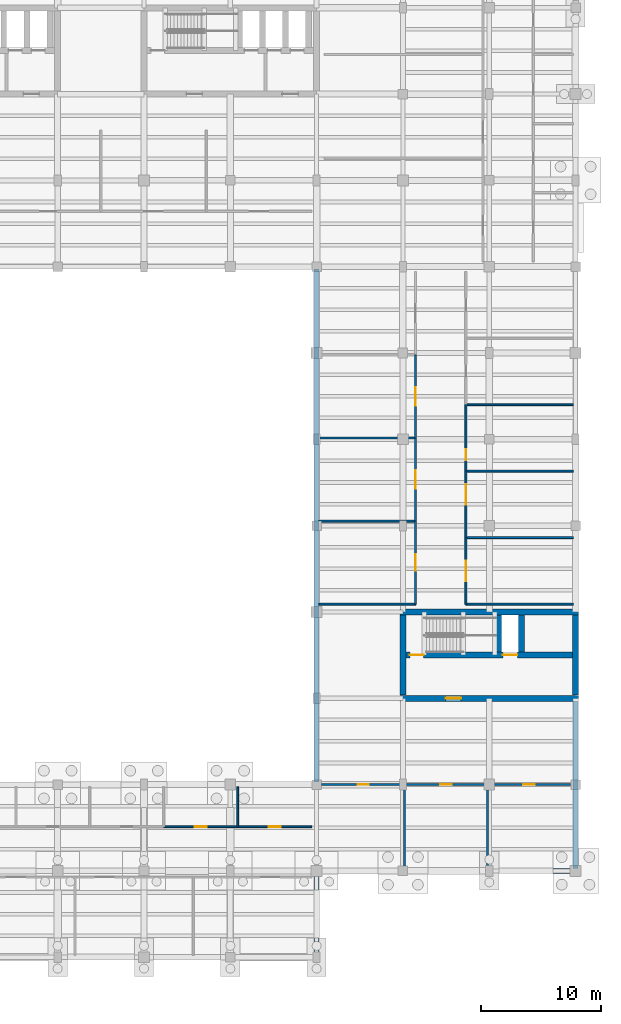
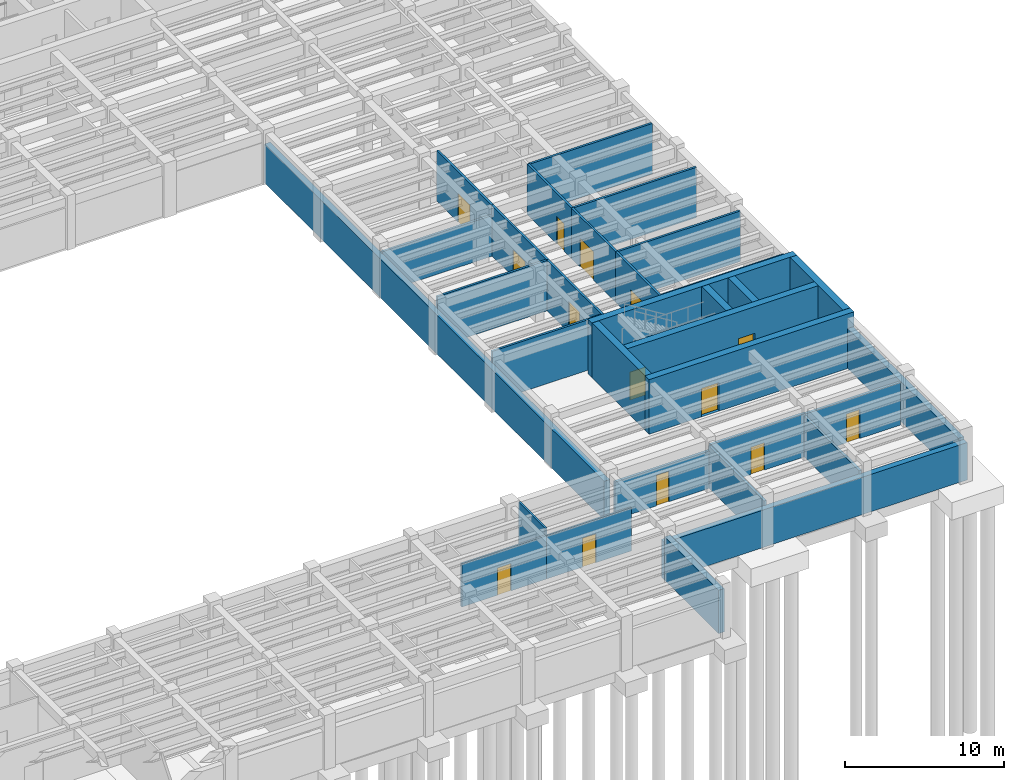
# One storey, part 23 of 33: 32 walls, 14 doors, 14 openings.
"""IFC4 building model written with IfcOpenShell, lengths in metres."""

from ifc_helpers import new_model, si_unit, direction, frame, frame_2d, origin, place, context, subcontext, project, spatial, rectangle, extrude, material, layer, layer_set, type_object, element, fill, save


model = new_model("IFC4")

# Units and contexts
model_context = context("Model", 3, precision=1e-05, world=origin(), true_north=direction((0.0, 1.0)))
body_context = subcontext(model_context, "Body", "Model", "MODEL_VIEW")
ifc_project = project(units=[si_unit("LENGTHUNIT", "METRE"), si_unit("AREAUNIT", "SQUARE_METRE"), si_unit("VOLUMEUNIT", "CUBIC_METRE"), si_unit("PLANEANGLEUNIT", "RADIAN"), si_unit("MASSUNIT", "GRAM", prefix="KILO")], contexts=[model_context])

# Site, building, storey
site_placement = place(None, origin())
site = spatial("IfcSite", under=ifc_project, at=site_placement, CompositionType="ELEMENT")
building_placement = place(site_placement, origin())
building = spatial("IfcBuilding", under=site, at=building_placement, Name="Mithqara Police Headquarters", CompositionType="ELEMENT")
storey_placement = place(building_placement, frame((0.0, 0.0, -4.199951171875)))
storey = spatial("IfcBuildingStorey", under=building, at=storey_placement, Name="B1", CompositionType="ELEMENT", Elevation=-4.199951171875)

# Wall, opening, door
ifc_material_1 = material(Name="Gypsum acoustic stud partition", Category="gypsum")
ifc_layer_1 = layer(ifc_material_1, 0.139892578125, Name="Gypsum acoustic stud partition")
ifc_layer_set_1 = layer_set([ifc_layer_1], Name="Gypsum acoustic stud partition")
wall_type_1 = type_object("IfcWallType", Name="PART WALL 140", PredefinedType="PARTITIONING", material=ifc_layer_set_1)
wall_1_placement = place(storey_placement, frame((131.846923828125, 31.8798828125, 0.0), z_axis=(0.0, 0.0, 1.0), x_axis=(1.0, 0.0, 0.0)))
wall_1 = element("IfcWall", 1, at=wall_1_placement, inside=storey, type_object=wall_type_1, Name="B1 Corridor Wall Driver Briefing Alcove", PredefinedType="PARTITIONING", context=body_context, shape_type="SweptSolid", body=[
    extrude(rectangle(XDim=6.1669921875, YDim=0.139892578125, at=frame_2d((3.08349609375, 0.0))), origin(), (0.0, 0.0, 1.0), 3.329833984375),
])
opening_1_placement = place(wall_1_placement, frame((2.593505859375, 0.0, 0.0)))
opening_1 = element("IfcOpeningElement", 2, at=opening_1_placement, cuts=wall_1, Name="Opening D-04", PredefinedType="OPENING", context=body_context, shape_type="SweptSolid", body=[
    extrude(rectangle(XDim=0.97998046875, YDim=2.10009765625, at=frame_2d((0.489990234375, 1.050048828125))), frame((0.0, 0.080078125, 0.0), z_axis=(0.0, -1.0, 0.0), x_axis=(1.0, 0.0, 0.0)), (0.0, 0.0, 1.0), 0.159912109375),
])
ifc_material_2 = material(Name="Acoustic solid-core timber leaf", Category="wood")
door_type_1 = type_object("IfcDoorType", Name="INT DOOR 980X2100", OperationType="NOTDEFINED", PredefinedType="DOOR", material=ifc_material_2)
door_1_placement = place(opening_1_placement, origin())
door_1 = element("IfcDoor", 3, at=door_1_placement, inside=storey, type_object=door_type_1, Name="Driver Briefing Alcove Entry Door", OperationType="SINGLE_SWING_LEFT", OverallHeight=2.10009765625, OverallWidth=0.97998046875, PredefinedType="DOOR", context=body_context, shape_type="SweptSolid", body=[
    extrude(rectangle(XDim=0.97998046875, YDim=2.10009765625, at=frame_2d((0.489990234375, 1.050048828125))), frame((0.0, 0.02490234375, 0.0), z_axis=(0.0, -1.0, 0.0), x_axis=(1.0, 0.0, 0.0)), (0.0, 0.0, 1.0), 0.050048828125),
])
fill(opening_1, door_1)

# Wall
wall_2_placement = place(storey_placement, frame((138.013916015625, 31.8798828125, 0.0), z_axis=(0.0, 0.0, 1.0), x_axis=(0.0, 1.0, 0.0)))
element("IfcWall", 4, at=wall_2_placement, inside=storey, type_object=wall_type_1, Name="B1 Room Partition Driver Briefing Alcove", PredefinedType="PARTITIONING", context=body_context, shape_type="SweptSolid", body=[
    extrude(rectangle(XDim=3.340087890625, YDim=0.139892578125, at=frame_2d((1.669921875, 0.0))), origin(), (0.0, 0.0, 1.0), 3.8798828125),
])

# Wall, opening, door
wall_3_placement = place(storey_placement, frame((138.013916015625, 31.8798828125, 0.0), z_axis=(0.0, 0.0, 1.0), x_axis=(1.0, 0.0, 0.0)))
wall_3 = element("IfcWall", 5, at=wall_3_placement, inside=storey, type_object=wall_type_1, Name="B1 Corridor Wall Patrol Car Park", PredefinedType="PARTITIONING", context=body_context, shape_type="SweptSolid", body=[
    extrude(rectangle(XDim=6.166015625, YDim=0.139892578125, at=frame_2d((3.0830078125, 0.0))), origin(), (0.0, 0.0, 1.0), 3.329833984375),
])
opening_2_placement = place(wall_3_placement, frame((2.593017578125, 0.0, 0.0)))
opening_2 = element("IfcOpeningElement", 6, at=opening_2_placement, cuts=wall_3, Name="Opening D-05", PredefinedType="OPENING", context=body_context, shape_type="SweptSolid", body=[
    extrude(rectangle(XDim=0.97998046875, YDim=2.219970703125, at=frame_2d((0.489990234375, 1.10986328125))), frame((0.0, 0.080078125, 0.0), z_axis=(0.0, -1.0, 0.0), x_axis=(1.0, 0.0, 0.0)), (0.0, 0.0, 1.0), 0.159912109375),
])
door_type_2 = type_object("IfcDoorType", Name="INT DOOR 980X2220", OperationType="NOTDEFINED", PredefinedType="DOOR", material=ifc_material_2)
door_2_placement = place(opening_2_placement, origin())
door_2 = element("IfcDoor", 7, at=door_2_placement, inside=storey, type_object=door_type_2, Name="Patrol Car Park Entry Door", OperationType="SINGLE_SWING_RIGHT", OverallHeight=2.219970703125, OverallWidth=0.97998046875, PredefinedType="DOOR", context=body_context, shape_type="SweptSolid", body=[
    extrude(rectangle(XDim=0.97998046875, YDim=2.219970703125, at=frame_2d((0.489990234375, 1.10986328125))), frame((0.0, 0.02490234375, 0.0), z_axis=(0.0, -1.0, 0.0), x_axis=(1.0, 0.0, 0.0)), (0.0, 0.0, 1.0), 0.050048828125),
])
fill(opening_2, door_2)

# Wall
ifc_layer_2 = layer(ifc_material_1, 0.159912109375, Name="Gypsum acoustic stud partition")
ifc_layer_set_2 = layer_set([ifc_layer_2], Name="Gypsum acoustic stud partition")
wall_type_2 = type_object("IfcWallType", Name="PART WALL 160", PredefinedType="PARTITIONING", material=ifc_layer_set_2)
wall_4_placement = place(storey_placement, frame((144.780029296875, 50.449951171875, 0.0), z_axis=(0.0, 0.0, 1.0), x_axis=(1.0, 0.0, 0.0)))
element("IfcWall", 8, at=wall_4_placement, inside=storey, type_object=wall_type_2, Name="B1 Partition End Closure E0", PredefinedType="PARTITIONING", context=body_context, shape_type="SweptSolid", body=[
    extrude(rectangle(XDim=8.070068359375, YDim=0.159912109375, at=frame_2d((4.03515625, 0.0))), origin(), (0.0, 0.0, 1.0), 3.8798828125),
])

# Wall, opening, door
wall_5_placement = place(storey_placement, frame((152.85009765625, 50.449951171875, 0.0), z_axis=(0.0, 0.0, 1.0), x_axis=(0.0, 1.0, 0.0)))
wall_5 = element("IfcWall", 9, at=wall_5_placement, inside=storey, type_object=wall_type_2, Name="B1 Corridor Wall Bulk Forensic Specimen Cold Room", PredefinedType="PARTITIONING", context=body_context, shape_type="SweptSolid", body=[
    extrude(rectangle(XDim=6.93310546875, YDim=0.159912109375, at=frame_2d((3.466552734375, 0.0))), origin(), (0.0, 0.0, 1.0), 3.8798828125),
])
opening_3_placement = place(wall_5_placement, frame((2.78662109375, 0.0, 0.0)))
opening_3 = element("IfcOpeningElement", 10, at=opening_3_placement, cuts=wall_5, Name="Opening D-18", PredefinedType="OPENING", context=body_context, shape_type="SweptSolid", body=[
    extrude(rectangle(XDim=1.360107421875, YDim=2.35009765625, at=frame_2d((0.68017578125, 1.175048828125))), frame((0.0, 0.08984375, 0.0), z_axis=(0.0, -1.0, 0.0), x_axis=(1.0, 0.0, 0.0)), (0.0, 0.0, 1.0), 0.179931640625),
])
ifc_material_3 = material(Name="Bronze anodised aluminium 6063-T6", Category="aluminium")
door_type_3 = type_object("IfcDoorType", Name="INT DOOR 1360X2350", OperationType="NOTDEFINED", PredefinedType="DOOR", material=ifc_material_3)
door_3_placement = place(opening_3_placement, frame((1.360107421875, 0.0, 0.0), z_axis=(0.0, 0.0, 1.0), x_axis=(-1.0, 0.0, 0.0)))
door_3 = element("IfcDoor", 11, at=door_3_placement, inside=storey, type_object=door_type_3, Name="Bulk Forensic Specimen Cold Room Entry Door", OperationType="SINGLE_SWING_LEFT", OverallHeight=2.35009765625, OverallWidth=1.360107421875, PredefinedType="DOOR", context=body_context, shape_type="SweptSolid", body=[
    extrude(rectangle(XDim=1.360107421875, YDim=2.35009765625, at=frame_2d((0.68017578125, 1.175048828125))), frame((0.0, 0.02490234375, 0.0), z_axis=(0.0, -1.0, 0.0), x_axis=(1.0, 0.0, 0.0)), (0.0, 0.0, 1.0), 0.050048828125),
])
fill(opening_3, door_3)

# Wall
wall_6_placement = place(storey_placement, frame((144.780029296875, 57.383056640625, 0.0), z_axis=(0.0, 0.0, 1.0), x_axis=(1.0, 0.0, 0.0)))
element("IfcWall", 12, at=wall_6_placement, inside=storey, type_object=wall_type_2, Name="B1 Room Partition Bulk Forensic Specimen Cold Room", PredefinedType="PARTITIONING", context=body_context, shape_type="SweptSolid", body=[
    extrude(rectangle(XDim=8.070068359375, YDim=0.159912109375, at=frame_2d((4.03515625, 0.0))), origin(), (0.0, 0.0, 1.0), 3.8798828125),
])

# Wall, opening, door
wall_7_placement = place(storey_placement, frame((152.85009765625, 57.383056640625, 0.0), z_axis=(0.0, 0.0, 1.0), x_axis=(0.0, 1.0, 0.0)))
wall_7 = element("IfcWall", 13, at=wall_7_placement, inside=storey, type_object=wall_type_2, Name="B1 Corridor Wall Vehicle Examination Bay", PredefinedType="PARTITIONING", context=body_context, shape_type="SweptSolid", body=[
    extrude(rectangle(XDim=6.931884765625, YDim=0.159912109375, at=frame_2d((3.4658203125, 0.0))), origin(), (0.0, 0.0, 1.0), 3.8798828125),
])
opening_4_placement = place(wall_7_placement, frame((2.7060546875, 0.0, 0.0)))
opening_4 = element("IfcOpeningElement", 14, at=opening_4_placement, cuts=wall_7, Name="Opening D-19", PredefinedType="OPENING", context=body_context, shape_type="SweptSolid", body=[
    extrude(rectangle(XDim=1.52001953125, YDim=2.10009765625, at=frame_2d((0.760009765625, 1.050048828125))), frame((0.0, 0.08984375, 0.0), z_axis=(0.0, -1.0, 0.0), x_axis=(1.0, 0.0, 0.0)), (0.0, 0.0, 1.0), 0.179931640625),
])
door_type_4 = type_object("IfcDoorType", Name="INT DOOR 1520X2100", OperationType="NOTDEFINED", PredefinedType="DOOR", material=ifc_material_3)
door_4_placement = place(opening_4_placement, frame((1.52001953125, 0.0, 0.0), z_axis=(0.0, 0.0, 1.0), x_axis=(-1.0, 0.0, 0.0)))
door_4 = element("IfcDoor", 15, at=door_4_placement, inside=storey, type_object=door_type_4, Name="Vehicle Examination Bay Entry Door", OperationType="DOUBLE_DOOR_SINGLE_SWING", OverallHeight=2.10009765625, OverallWidth=1.52001953125, PredefinedType="DOOR", context=body_context, shape_type="SweptSolid", body=[
    extrude(rectangle(XDim=1.52001953125, YDim=2.10009765625, at=frame_2d((0.760009765625, 1.050048828125))), frame((0.0, 0.02490234375, 0.0), z_axis=(0.0, -1.0, 0.0), x_axis=(1.0, 0.0, 0.0)), (0.0, 0.0, 1.0), 0.050048828125),
])
fill(opening_4, door_4)

# Wall
wall_8_placement = place(storey_placement, frame((144.780029296875, 64.31494140625, 0.0), z_axis=(0.0, 0.0, 1.0), x_axis=(1.0, 0.0, 0.0)))
element("IfcWall", 16, at=wall_8_placement, inside=storey, type_object=wall_type_2, Name="B1 Room Partition Vehicle Examination Bay", PredefinedType="PARTITIONING", context=body_context, shape_type="SweptSolid", body=[
    extrude(rectangle(XDim=8.070068359375, YDim=0.159912109375, at=frame_2d((4.03515625, 0.0))), origin(), (0.0, 0.0, 1.0), 3.1298828125),
])

# Wall, opening, door
wall_9_placement = place(storey_placement, frame((152.85009765625, 64.31494140625, 0.0), z_axis=(0.0, 0.0, 1.0), x_axis=(0.0, 1.0, 0.0)))
wall_9 = element("IfcWall", 17, at=wall_9_placement, inside=storey, type_object=wall_type_2, Name="B1 Corridor Wall Evidence Drying Room", PredefinedType="PARTITIONING", context=body_context, shape_type="SweptSolid", body=[
    extrude(rectangle(XDim=6.93310546875, YDim=0.159912109375, at=frame_2d((3.466552734375, 0.0))), origin(), (0.0, 0.0, 1.0), 3.8798828125),
])
opening_5_placement = place(wall_9_placement, frame((2.70654296875, 0.0, 0.0)))
opening_5 = element("IfcOpeningElement", 18, at=opening_5_placement, cuts=wall_9, Name="Opening D-20", PredefinedType="OPENING", context=body_context, shape_type="SweptSolid", body=[
    extrude(rectangle(XDim=1.52001953125, YDim=2.219970703125, at=frame_2d((0.760009765625, 1.10986328125))), frame((0.0, 0.08984375, 0.0), z_axis=(0.0, -1.0, 0.0), x_axis=(1.0, 0.0, 0.0)), (0.0, 0.0, 1.0), 0.179931640625),
])
door_type_5 = type_object("IfcDoorType", Name="INT DOOR 1520X2220", OperationType="NOTDEFINED", PredefinedType="DOOR", material=ifc_material_3)
door_5_placement = place(opening_5_placement, frame((1.52001953125, 0.0, 0.0), z_axis=(0.0, 0.0, 1.0), x_axis=(-1.0, 0.0, 0.0)))
door_5 = element("IfcDoor", 19, at=door_5_placement, inside=storey, type_object=door_type_5, Name="Evidence Drying Room Entry Door", OperationType="DOUBLE_DOOR_SINGLE_SWING", OverallHeight=2.219970703125, OverallWidth=1.52001953125, PredefinedType="DOOR", context=body_context, shape_type="SweptSolid", body=[
    extrude(rectangle(XDim=1.52001953125, YDim=2.219970703125, at=frame_2d((0.760009765625, 1.10986328125))), frame((0.0, 0.02490234375, 0.0), z_axis=(0.0, -1.0, 0.0), x_axis=(1.0, 0.0, 0.0)), (0.0, 0.0, 1.0), 0.050048828125),
])
fill(opening_5, door_5)

# Wall
wall_10_placement = place(storey_placement, frame((157.050048828125, 50.449951171875, 0.0), z_axis=(0.0, 0.0, 1.0), x_axis=(1.0, 0.0, 0.0)))
element("IfcWall", 20, at=wall_10_placement, inside=storey, type_object=wall_type_2, Name="B1 Partition End Closure E0", PredefinedType="PARTITIONING", context=body_context, shape_type="SweptSolid", body=[
    extrude(rectangle(XDim=8.969970703125, YDim=0.159912109375, at=frame_2d((4.48486328125, 0.0))), origin(), (0.0, 0.0, 1.0), 3.8798828125),
])

# Wall, opening, door
wall_11_placement = place(storey_placement, frame((157.050048828125, 50.449951171875, 0.0), z_axis=(0.0, 0.0, 1.0), x_axis=(0.0, 1.0, 0.0)))
wall_11 = element("IfcWall", 21, at=wall_11_placement, inside=storey, type_object=wall_type_2, Name="B1 Corridor Wall Vehicle Examination Bay", PredefinedType="PARTITIONING", context=body_context, shape_type="SweptSolid", body=[
    extrude(rectangle(XDim=5.546142578125, YDim=0.159912109375, at=frame_2d((2.77294921875, 0.0))), origin(), (0.0, 0.0, 1.0), 3.8798828125),
])
opening_6_placement = place(wall_11_placement, frame((1.9130859375, 0.0, 0.0)))
opening_6 = element("IfcOpeningElement", 22, at=opening_6_placement, cuts=wall_11, Name="Opening D-22", PredefinedType="OPENING", context=body_context, shape_type="SweptSolid", body=[
    extrude(rectangle(XDim=1.719970703125, YDim=2.10009765625, at=frame_2d((0.85986328125, 1.050048828125))), frame((0.0, 0.08984375, 0.0), z_axis=(0.0, -1.0, 0.0), x_axis=(1.0, 0.0, 0.0)), (0.0, 0.0, 1.0), 0.179931640625),
])
door_type_6 = type_object("IfcDoorType", Name="INT DOOR 1720X2100", OperationType="NOTDEFINED", PredefinedType="DOOR", material=ifc_material_3)
door_6_placement = place(opening_6_placement, origin())
door_6 = element("IfcDoor", 23, at=door_6_placement, inside=storey, type_object=door_type_6, Name="Vehicle Examination Bay Entry Door", OperationType="DOUBLE_DOOR_SINGLE_SWING", OverallHeight=2.10009765625, OverallWidth=1.719970703125, PredefinedType="DOOR", context=body_context, shape_type="SweptSolid", body=[
    extrude(rectangle(XDim=1.719970703125, YDim=2.10009765625, at=frame_2d((0.85986328125, 1.050048828125))), frame((0.0, 0.02490234375, 0.0), z_axis=(0.0, -1.0, 0.0), x_axis=(1.0, 0.0, 0.0)), (0.0, 0.0, 1.0), 0.050048828125),
])
fill(opening_6, door_6)

# Wall
wall_12_placement = place(storey_placement, frame((157.050048828125, 55.99609375, 0.0), z_axis=(0.0, 0.0, 1.0), x_axis=(1.0, 0.0, 0.0)))
element("IfcWall", 24, at=wall_12_placement, inside=storey, type_object=wall_type_2, Name="B1 Room Partition Vehicle Examination Bay", PredefinedType="PARTITIONING", context=body_context, shape_type="SweptSolid", body=[
    extrude(rectangle(XDim=8.969970703125, YDim=0.159912109375, at=frame_2d((4.48486328125, 0.0))), origin(), (0.0, 0.0, 1.0), 3.8798828125),
])

# Wall, opening, door
wall_13_placement = place(storey_placement, frame((157.050048828125, 55.99609375, 0.0), z_axis=(0.0, 0.0, 1.0), x_axis=(0.0, 1.0, 0.0)))
wall_13 = element("IfcWall", 25, at=wall_13_placement, inside=storey, type_object=wall_type_2, Name="B1 Corridor Wall Evidence Drying Room", PredefinedType="PARTITIONING", context=body_context, shape_type="SweptSolid", body=[
    extrude(rectangle(XDim=5.5458984375, YDim=0.159912109375, at=frame_2d((2.77294921875, 0.0))), origin(), (0.0, 0.0, 1.0), 3.8798828125),
])
opening_7_placement = place(wall_13_placement, frame((2.744873046875, 0.0, 0.0)))
opening_7 = element("IfcOpeningElement", 26, at=opening_7_placement, cuts=wall_13, Name="Opening D-23", PredefinedType="OPENING", context=body_context, shape_type="SweptSolid", body=[
    extrude(rectangle(XDim=1.719970703125, YDim=2.219970703125, at=frame_2d((0.85986328125, 1.10986328125))), frame((0.0, 0.08984375, 0.0), z_axis=(0.0, -1.0, 0.0), x_axis=(1.0, 0.0, 0.0)), (0.0, 0.0, 1.0), 0.179931640625),
])
door_type_7 = type_object("IfcDoorType", Name="INT DOOR 1720X2220", OperationType="NOTDEFINED", PredefinedType="DOOR", material=ifc_material_3)
door_7_placement = place(opening_7_placement, origin())
door_7 = element("IfcDoor", 27, at=door_7_placement, inside=storey, type_object=door_type_7, Name="Evidence Drying Room Entry Door", OperationType="DOUBLE_DOOR_SINGLE_SWING", OverallHeight=2.219970703125, OverallWidth=1.719970703125, PredefinedType="DOOR", context=body_context, shape_type="SweptSolid", body=[
    extrude(rectangle(XDim=1.719970703125, YDim=2.219970703125, at=frame_2d((0.85986328125, 1.10986328125))), frame((0.0, 0.02490234375, 0.0), z_axis=(0.0, -1.0, 0.0), x_axis=(1.0, 0.0, 0.0)), (0.0, 0.0, 1.0), 0.050048828125),
])
fill(opening_7, door_7)

# Wall
wall_14_placement = place(storey_placement, frame((157.050048828125, 61.5419921875, 0.0), z_axis=(0.0, 0.0, 1.0), x_axis=(1.0, 0.0, 0.0)))
element("IfcWall", 28, at=wall_14_placement, inside=storey, type_object=wall_type_2, Name="B1 Room Partition Evidence Drying Room", PredefinedType="PARTITIONING", context=body_context, shape_type="SweptSolid", body=[
    extrude(rectangle(XDim=8.969970703125, YDim=0.159912109375, at=frame_2d((4.48486328125, 0.0))), origin(), (0.0, 0.0, 1.0), 3.8798828125),
])

# Wall, opening, door
wall_15_placement = place(storey_placement, frame((157.050048828125, 61.5419921875, 0.0), z_axis=(0.0, 0.0, 1.0), x_axis=(0.0, 1.0, 0.0)))
wall_15 = element("IfcWall", 29, at=wall_15_placement, inside=storey, type_object=wall_type_2, Name="B1 Corridor Wall Bulk Forensic Specimen Cold Room", PredefinedType="PARTITIONING", context=body_context, shape_type="SweptSolid", body=[
    extrude(rectangle(XDim=5.5458984375, YDim=0.159912109375, at=frame_2d((2.77294921875, 0.0))), origin(), (0.0, 0.0, 1.0), 3.8798828125),
])
opening_8_placement = place(wall_15_placement, frame((0.926513671875, 0.0, 0.0)))
opening_8 = element("IfcOpeningElement", 30, at=opening_8_placement, cuts=wall_15, Name="Opening D-01", PredefinedType="OPENING", context=body_context, shape_type="SweptSolid", body=[
    extrude(rectangle(XDim=0.919921875, YDim=2.10009765625, at=frame_2d((0.4599609375, 1.050048828125))), frame((0.0, 0.08984375, 0.0), z_axis=(0.0, -1.0, 0.0), x_axis=(1.0, 0.0, 0.0)), (0.0, 0.0, 1.0), 0.179931640625),
])
door_type_8 = type_object("IfcDoorType", Name="INT DOOR 920X2100", OperationType="NOTDEFINED", PredefinedType="DOOR", material=ifc_material_2)
door_8_placement = place(opening_8_placement, origin())
door_8 = element("IfcDoor", 31, at=door_8_placement, inside=storey, type_object=door_type_8, Name="Bulk Forensic Specimen Cold Room Entry Door", OperationType="SINGLE_SWING_LEFT", OverallHeight=2.10009765625, OverallWidth=0.919921875, PredefinedType="DOOR", context=body_context, shape_type="SweptSolid", body=[
    extrude(rectangle(XDim=0.919921875, YDim=2.10009765625, at=frame_2d((0.4599609375, 1.050048828125))), frame((0.0, 0.02490234375, 0.0), z_axis=(0.0, -1.0, 0.0), x_axis=(1.0, 0.0, 0.0)), (0.0, 0.0, 1.0), 0.050048828125),
])
fill(opening_8, door_8)

# Wall
wall_16_placement = place(storey_placement, frame((157.050048828125, 67.087890625, 0.0), z_axis=(0.0, 0.0, 1.0), x_axis=(1.0, 0.0, 0.0)))
element("IfcWall", 32, at=wall_16_placement, inside=storey, type_object=wall_type_2, Name="B1 Room Partition Bulk Forensic Specimen Cold Room", PredefinedType="PARTITIONING", context=body_context, shape_type="SweptSolid", body=[
    extrude(rectangle(XDim=8.969970703125, YDim=0.159912109375, at=frame_2d((4.48486328125, 0.0))), origin(), (0.0, 0.0, 1.0), 3.8798828125),
])

# Wall, opening, door
ifc_material_4 = material(Name="Concrete C40/50", Category="concrete")
ifc_layer_3 = layer(ifc_material_4, 0.179931640625, Name="Concrete C40/50")
ifc_layer_set_3 = layer_set([ifc_layer_3], Name="Concrete C40/50")
wall_type_3 = type_object("IfcWallType", Name="PART WALL 180", PredefinedType="PARTITIONING", material=ifc_layer_set_3)
wall_17_placement = place(storey_placement, frame((145.02001953125, 35.39990234375, 0.0), z_axis=(0.0, 0.0, 1.0), x_axis=(1.0, 0.0, 0.0)))
wall_17 = element("IfcWall", 33, at=wall_17_placement, inside=storey, type_object=wall_type_3, Name="B1 Corridor Wall Bulk Forensic Specimen Cold Room", PredefinedType="PARTITIONING", context=body_context, shape_type="SweptSolid", body=[
    extrude(rectangle(XDim=6.919921875, YDim=0.179931640625, at=frame_2d((3.4599609375, 0.0))), origin(), (0.0, 0.0, 1.0), 2.8798828125),
])
opening_9_placement = place(wall_17_placement, frame((3.0, 0.0, 0.0)))
opening_9 = element("IfcOpeningElement", 34, at=opening_9_placement, cuts=wall_17, Name="Opening D-03", PredefinedType="OPENING", context=body_context, shape_type="SweptSolid", body=[
    extrude(rectangle(XDim=0.919921875, YDim=2.35009765625, at=frame_2d((0.4599609375, 1.175048828125))), frame((0.0, 0.10009765625, 0.0), z_axis=(0.0, -1.0, 0.0), x_axis=(1.0, 0.0, 0.0)), (0.0, 0.0, 1.0), 0.199951171875),
])
door_type_9 = type_object("IfcDoorType", Name="INT DOOR 920X2350", OperationType="NOTDEFINED", PredefinedType="DOOR", material=ifc_material_2)
door_9_placement = place(opening_9_placement, frame((0.919921875, 0.0, 0.0), z_axis=(0.0, 0.0, 1.0), x_axis=(-1.0, 0.0, 0.0)))
door_9 = element("IfcDoor", 35, at=door_9_placement, inside=storey, type_object=door_type_9, Name="Bulk Forensic Specimen Cold Room Entry Door", OperationType="SINGLE_SWING_RIGHT", OverallHeight=2.35009765625, OverallWidth=0.919921875, PredefinedType="DOOR", context=body_context, shape_type="SweptSolid", body=[
    extrude(rectangle(XDim=0.919921875, YDim=2.35009765625, at=frame_2d((0.4599609375, 1.175048828125))), frame((0.0, 0.02490234375, 0.0), z_axis=(0.0, -1.0, 0.0), x_axis=(1.0, 0.0, 0.0)), (0.0, 0.0, 1.0), 0.050048828125),
])
fill(opening_9, door_9)

# Wall
wall_18_placement = place(storey_placement, frame((151.93994140625, 28.3798828125, 0.0), z_axis=(0.0, 0.0, 1.0), x_axis=(0.0, 1.0, 0.0)))
element("IfcWall", 36, at=wall_18_placement, inside=storey, type_object=wall_type_3, Name="B1 Room Partition Bulk Forensic Specimen Cold Room", PredefinedType="PARTITIONING", context=body_context, shape_type="SweptSolid", body=[
    extrude(rectangle(XDim=7.02001953125, YDim=0.179931640625, at=frame_2d((3.510009765625, 0.0))), origin(), (0.0, 0.0, 1.0), 3.22998046875),
])

# Wall, opening, door
wall_19_placement = place(storey_placement, frame((151.93994140625, 35.39990234375, 0.0), z_axis=(0.0, 0.0, 1.0), x_axis=(1.0, 0.0, 0.0)))
wall_19 = element("IfcWall", 37, at=wall_19_placement, inside=storey, type_object=wall_type_3, Name="B1 Corridor Wall Vehicle Examination Bay", PredefinedType="PARTITIONING", context=body_context, shape_type="SweptSolid", body=[
    extrude(rectangle(XDim=6.920166015625, YDim=0.179931640625, at=frame_2d((3.4599609375, 0.0))), origin(), (0.0, 0.0, 1.0), 3.329833984375),
])
opening_10_placement = place(wall_19_placement, frame((2.969970703125, 0.0, 0.0)))
opening_10 = element("IfcOpeningElement", 38, at=opening_10_placement, cuts=wall_19, Name="Opening D-04", PredefinedType="OPENING", context=body_context, shape_type="SweptSolid", body=[
    extrude(rectangle(XDim=0.97998046875, YDim=2.10009765625, at=frame_2d((0.489990234375, 1.050048828125))), frame((0.0, 0.10009765625, 0.0), z_axis=(0.0, -1.0, 0.0), x_axis=(1.0, 0.0, 0.0)), (0.0, 0.0, 1.0), 0.199951171875),
])
door_10_placement = place(opening_10_placement, frame((0.97998046875, 0.0, 0.0), z_axis=(0.0, 0.0, 1.0), x_axis=(-1.0, 0.0, 0.0)))
door_10 = element("IfcDoor", 39, at=door_10_placement, inside=storey, type_object=door_type_1, Name="Vehicle Examination Bay Entry Door", OperationType="SINGLE_SWING_LEFT", OverallHeight=2.10009765625, OverallWidth=0.97998046875, PredefinedType="DOOR", context=body_context, shape_type="SweptSolid", body=[
    extrude(rectangle(XDim=0.97998046875, YDim=2.10009765625, at=frame_2d((0.489990234375, 1.050048828125))), frame((0.0, 0.02490234375, 0.0), z_axis=(0.0, -1.0, 0.0), x_axis=(1.0, 0.0, 0.0)), (0.0, 0.0, 1.0), 0.050048828125),
])
fill(opening_10, door_10)

# Wall
wall_20_placement = place(storey_placement, frame((158.860107421875, 28.3798828125, 0.0), z_axis=(0.0, 0.0, 1.0), x_axis=(0.0, 1.0, 0.0)))
element("IfcWall", 40, at=wall_20_placement, inside=storey, type_object=wall_type_3, Name="B1 Room Partition Vehicle Examination Bay", PredefinedType="PARTITIONING", context=body_context, shape_type="SweptSolid", body=[
    extrude(rectangle(XDim=7.02001953125, YDim=0.179931640625, at=frame_2d((3.510009765625, 0.0))), origin(), (0.0, 0.0, 1.0), 3.1298828125),
])

# Wall, opening, door
wall_21_placement = place(storey_placement, frame((158.860107421875, 35.39990234375, 0.0), z_axis=(0.0, 0.0, 1.0), x_axis=(1.0, 0.0, 0.0)))
wall_21 = element("IfcWall", 41, at=wall_21_placement, inside=storey, type_object=wall_type_3, Name="B1 Corridor Wall Evidence Drying Room", PredefinedType="PARTITIONING", context=body_context, shape_type="SweptSolid", body=[
    extrude(rectangle(XDim=6.919921875, YDim=0.179931640625, at=frame_2d((3.4599609375, 0.0))), origin(), (0.0, 0.0, 1.0), 3.280029296875),
])
opening_11_placement = place(wall_21_placement, frame((2.969970703125, 0.0, 0.0)))
opening_11 = element("IfcOpeningElement", 42, at=opening_11_placement, cuts=wall_21, Name="Opening D-05", PredefinedType="OPENING", context=body_context, shape_type="SweptSolid", body=[
    extrude(rectangle(XDim=0.97998046875, YDim=2.219970703125, at=frame_2d((0.489990234375, 1.10986328125))), frame((0.0, 0.10009765625, 0.0), z_axis=(0.0, -1.0, 0.0), x_axis=(1.0, 0.0, 0.0)), (0.0, 0.0, 1.0), 0.199951171875),
])
door_11_placement = place(opening_11_placement, frame((0.97998046875, 0.0, 0.0), z_axis=(0.0, 0.0, 1.0), x_axis=(-1.0, 0.0, 0.0)))
door_11 = element("IfcDoor", 43, at=door_11_placement, inside=storey, type_object=door_type_2, Name="Evidence Drying Room Entry Door", OperationType="SINGLE_SWING_RIGHT", OverallHeight=2.219970703125, OverallWidth=0.97998046875, PredefinedType="DOOR", context=body_context, shape_type="SweptSolid", body=[
    extrude(rectangle(XDim=0.97998046875, YDim=2.219970703125, at=frame_2d((0.489990234375, 1.10986328125))), frame((0.0, 0.02490234375, 0.0), z_axis=(0.0, -1.0, 0.0), x_axis=(1.0, 0.0, 0.0)), (0.0, 0.0, 1.0), 0.050048828125),
])
fill(opening_11, door_11)

# Walls
ifc_layer_4 = layer(ifc_material_4, 0.419921875, Name="Concrete C40/50")
ifc_layer_set_4 = layer_set([ifc_layer_4], Name="Concrete C40/50")
wall_type_4 = type_object("IfcWallType", Name="RETAINING WALL 420", PredefinedType="USERDEFINED", material=ifc_layer_set_4)
wall_22_placement = place(storey_placement, frame((166.199951171875, 42.3701171875, 0.0), z_axis=(0.0, 0.0, 1.0), x_axis=(0.0, -1.0, 0.0)))
element("IfcWall", 44, at=wall_22_placement, inside=storey, type_object=wall_type_4, Name="B1 Perimeter Retaining Wall 13", ObjectType="RETAININGWALL", PredefinedType="USERDEFINED", context=body_context, shape_type="SweptSolid", body=[
    extrude(rectangle(XDim=13.97021484375, YDim=0.419921875, at=frame_2d((6.985107421875, 0.0))), origin(), (0.0, 0.0, 1.0), 3.079833984375),
])
wall_23_placement = place(storey_placement, frame((166.409912109375, 28.199951171875, 0.0), z_axis=(0.0, 0.0, 1.0), x_axis=(-1.0, 0.0, 0.0)))
element("IfcWall", 45, at=wall_23_placement, inside=storey, type_object=wall_type_4, Name="B1 Perimeter Retaining Wall 14", ObjectType="RETAININGWALL", PredefinedType="USERDEFINED", context=body_context, shape_type="SweptSolid", body=[
    extrude(rectangle(XDim=22.02001953125, YDim=0.419921875, at=frame_2d((11.010009765625, 0.0))), origin(), (0.0, 0.0, 1.0), 2.8798828125),
])
wall_24_placement = place(storey_placement, frame((144.60009765625, 28.0, 0.0), z_axis=(0.0, 0.0, 1.0), x_axis=(0.0, -1.0, 0.0)))
element("IfcWall", 46, at=wall_24_placement, inside=storey, type_object=wall_type_4, Name="B1 Perimeter Retaining Wall 15", ObjectType="RETAININGWALL", PredefinedType="USERDEFINED", context=body_context, shape_type="SweptSolid", body=[
    extrude(rectangle(XDim=6.800048828125, YDim=0.419921875, at=frame_2d((3.39990234375, 0.0))), origin(), (0.0, 0.0, 1.0), 3.329833984375),
])
wall_25_placement = place(storey_placement, frame((144.60009765625, 35.60009765625, 0.0), z_axis=(0.0, 0.0, 1.0), x_axis=(0.0, 1.0, 0.0)))
element("IfcWall", 47, at=wall_25_placement, inside=storey, type_object=wall_type_4, Name="B1 Perimeter Retaining Wall 23", ObjectType="RETAININGWALL", PredefinedType="USERDEFINED", context=body_context, shape_type="SweptSolid", body=[
    extrude(rectangle(XDim=42.7998046875, YDim=0.419921875, at=frame_2d((21.39990234375, 0.0))), origin(), (0.0, 0.0, 1.0), 2.97998046875),
])
ifc_material_5 = material(Name="Concrete C50/60", Category="concrete")
ifc_layer_5 = layer(ifc_material_5, 0.5, Name="Concrete C50/60")
ifc_layer_set_5 = layer_set([ifc_layer_5], Name="Concrete C50/60")
wall_type_5 = type_object("IfcWallType", Name="SHEAR WALL 500", PredefinedType="SHEAR", material=ifc_layer_set_5)
wall_26_placement = place(storey_placement, frame((151.550048828125, 49.800048828125, 0.0), z_axis=(0.0, 0.0, 1.0), x_axis=(1.0, 0.0, 0.0)))
element("IfcWall", 48, at=wall_26_placement, inside=storey, type_object=wall_type_5, Name="Core C4 Forensics East Shear Wall N", PredefinedType="SHEAR", context=body_context, shape_type="SweptSolid", body=[
    extrude(rectangle(XDim=14.89990234375, YDim=0.5, at=frame_2d((7.449951171875, 0.0))), origin(), (0.0, 0.0, 1.0), 4.199951171875),
])

# Wall, opening, door
wall_27_placement = place(storey_placement, frame((151.550048828125, 42.60009765625, 0.0), z_axis=(0.0, 0.0, 1.0), x_axis=(1.0, 0.0, 0.0)))
wall_27 = element("IfcWall", 49, at=wall_27_placement, inside=storey, type_object=wall_type_5, Name="Core C4 Forensics East Shear Wall S", PredefinedType="SHEAR", context=body_context, shape_type="SweptSolid", body=[
    extrude(rectangle(XDim=14.89990234375, YDim=0.5, at=frame_2d((7.449951171875, 0.0))), origin(), (0.0, 0.0, 1.0), 4.199951171875),
])
opening_12_placement = place(wall_27_placement, frame((3.800048828125, 0.0, 0.0)))
opening_12 = element("IfcOpeningElement", 50, at=opening_12_placement, cuts=wall_27, Name="Opening FD-02", PredefinedType="OPENING", context=body_context, shape_type="SweptSolid", body=[
    extrude(rectangle(XDim=1.300048828125, YDim=2.199951171875, at=frame_2d((0.64990234375, 1.10009765625))), frame((0.0, 0.260009765625, 0.0), z_axis=(0.0, -1.0, 0.0), x_axis=(1.0, 0.0, 0.0)), (0.0, 0.0, 1.0), 0.52001953125),
])
ifc_material_6 = material(Name="Steel S355JR", Category="steel")
door_type_10 = type_object("IfcDoorType", Name="CORE DOOR LOBBY 1300X2200", OperationType="NOTDEFINED", PredefinedType="DOOR", material=ifc_material_6)
door_12_placement = place(opening_12_placement, frame((1.300048828125, 0.0, 0.0), z_axis=(0.0, 0.0, 1.0), x_axis=(-1.0, 0.0, 0.0)))
door_12 = element("IfcDoor", 51, at=door_12_placement, inside=storey, type_object=door_type_10, Name="Core C4 Forensics East Lobby Fire Door B1", OperationType="SINGLE_SWING_RIGHT", OverallHeight=2.199951171875, OverallWidth=1.300048828125, PredefinedType="DOOR", context=body_context, shape_type="SweptSolid", body=[
    extrude(rectangle(XDim=1.300048828125, YDim=2.199951171875, at=frame_2d((0.64990234375, 1.10009765625))), frame((0.0, 0.02490234375, 0.0), z_axis=(0.0, -1.0, 0.0), x_axis=(1.0, 0.0, 0.0)), (0.0, 0.0, 1.0), 0.050048828125),
])
fill(opening_12, door_12)

# Walls
for number, where, z_axis, x_axis, name in (
    (52, (151.800048828125, 42.860107421875, 0.0), (0.0, 0.0, 1.0), (0.0, 1.0, 0.0), "Core C4 Forensics East Shear Wall W"),
    (53, (166.199951171875, 42.860107421875, 0.0), (0.0, 0.0, 1.0), (0.0, 1.0, 0.0), "Core C4 Forensics East Shear Wall E"),
):
    element("IfcWall", number, at=place(storey_placement, frame(where, z_axis=z_axis, x_axis=x_axis)), inside=storey, type_object=wall_type_5, Name=name, PredefinedType="SHEAR", context=body_context, shape_type="SweptSolid", body=[
        extrude(rectangle(XDim=6.679931640625, YDim=0.5, at=frame_2d((3.33984375, 0.0))), origin(), (0.0, 0.0, 1.0), 4.199951171875),
    ])

# Wall, openings, doors
wall_28_placement = place(storey_placement, frame((152.06005859375, 46.219970703125, 0.0), z_axis=(0.0, 0.0, 1.0), x_axis=(1.0, 0.0, 0.0)))
wall_28 = element("IfcWall", 54, at=wall_28_placement, inside=storey, type_object=wall_type_5, Name="Core C4 Forensics East Shear Wall M", PredefinedType="SHEAR", context=body_context, shape_type="SweptSolid", body=[
    extrude(rectangle(XDim=13.8798828125, YDim=0.5, at=frame_2d((6.93994140625, 0.0))), origin(), (0.0, 0.0, 1.0), 4.199951171875),
])
opening_13_placement = place(wall_28_placement, frame((8.080078125, 0.0, 0.0)))
opening_13 = element("IfcOpeningElement", 55, at=opening_13_placement, cuts=wall_28, Name="Opening LD-02", PredefinedType="OPENING", context=body_context, shape_type="SweptSolid", body=[
    extrude(rectangle(XDim=1.199951171875, YDim=2.14990234375, at=frame_2d((0.60009765625, 1.074951171875))), frame((0.0, 0.260009765625, 0.0), z_axis=(0.0, -1.0, 0.0), x_axis=(1.0, 0.0, 0.0)), (0.0, 0.0, 1.0), 0.52001953125),
])
opening_14_placement = place(wall_28_placement, frame((0.31494140625, 0.0, 0.0)))
opening_14 = element("IfcOpeningElement", 56, at=opening_14_placement, cuts=wall_28, Name="Opening FD-01", PredefinedType="OPENING", context=body_context, shape_type="SweptSolid", body=[
    extrude(rectangle(XDim=1.14990234375, YDim=2.14990234375, at=frame_2d((0.574951171875, 1.074951171875))), frame((0.0, 0.260009765625, 0.0), z_axis=(0.0, -1.0, 0.0), x_axis=(1.0, 0.0, 0.0)), (0.0, 0.0, 1.0), 0.52001953125),
])
door_type_11 = type_object("IfcDoorType", Name="CORE DOOR STAIR 1150X2150", OperationType="NOTDEFINED", PredefinedType="DOOR", material=ifc_material_6)
door_13_placement = place(opening_14_placement, origin())
door_13 = element("IfcDoor", 57, at=door_13_placement, inside=storey, type_object=door_type_11, Name="Stair ST-04 Fire Door B1", OperationType="SINGLE_SWING_LEFT", OverallHeight=2.14990234375, OverallWidth=1.14990234375, PredefinedType="DOOR", context=body_context, shape_type="SweptSolid", body=[
    extrude(rectangle(XDim=1.14990234375, YDim=2.14990234375, at=frame_2d((0.574951171875, 1.074951171875))), frame((0.0, 0.02490234375, 0.0), z_axis=(0.0, -1.0, 0.0), x_axis=(1.0, 0.0, 0.0)), (0.0, 0.0, 1.0), 0.050048828125),
])
fill(opening_14, door_13)
door_type_12 = type_object("IfcDoorType", Name="LIFT DOOR 1200X2150", OperationType="DOUBLE_DOOR_SLIDING", PredefinedType="DOOR", material=ifc_material_6)
door_14_placement = place(opening_13_placement, frame((1.199951171875, 0.0, 0.0), z_axis=(0.0, 0.0, 1.0), x_axis=(-1.0, 0.0, 0.0)))
door_14 = element("IfcDoor", 58, at=door_14_placement, inside=storey, type_object=door_type_12, Name="Lift Landing Door LP-06-B1", OperationType="DOUBLE_DOOR_SLIDING", OverallHeight=2.14990234375, OverallWidth=1.199951171875, PredefinedType="DOOR", context=body_context, shape_type="SweptSolid", body=[
    extrude(rectangle(XDim=1.199951171875, YDim=2.14990234375, at=frame_2d((0.60009765625, 1.074951171875))), frame((0.0, 0.02490234375, 0.0), z_axis=(0.0, -1.0, 0.0), x_axis=(1.0, 0.0, 0.0)), (0.0, 0.0, 1.0), 0.050048828125),
])
fill(opening_13, door_14)

# Walls
for number, where, z_axis, x_axis, name in (
    (59, (159.780029296875, 46.47998046875, 0.0), (0.0, 0.0, 1.0), (0.0, 1.0, 0.0), "Core C4 Forensics East Shear Wall X"),
    (60, (161.699951171875, 46.47998046875, 0.0), (0.0, 0.0, 1.0), (0.0, 1.0, 0.0), "Core C4 Forensics East Shear Wall L1"),
):
    element("IfcWall", number, at=place(storey_placement, frame(where, z_axis=z_axis, x_axis=x_axis)), inside=storey, type_object=wall_type_5, Name=name, PredefinedType="SHEAR", context=body_context, shape_type="SweptSolid", body=[
        extrude(rectangle(XDim=3.06005859375, YDim=0.5, at=frame_2d((1.530029296875, 0.0))), origin(), (0.0, 0.0, 1.0), 4.199951171875),
    ])

save(model, "model.ifc")
